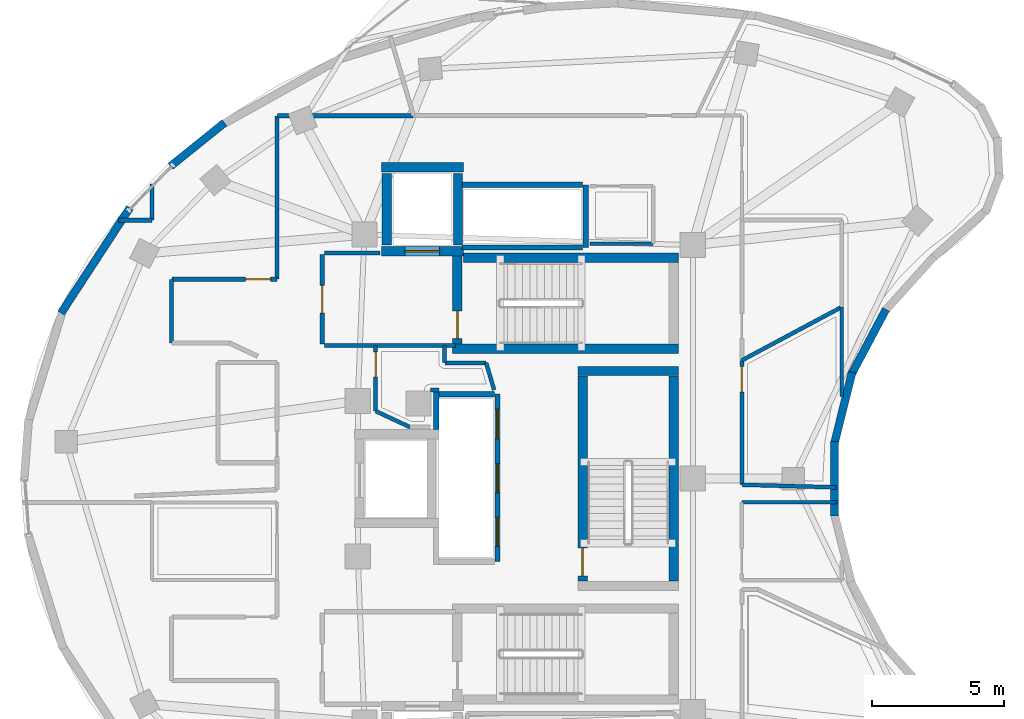
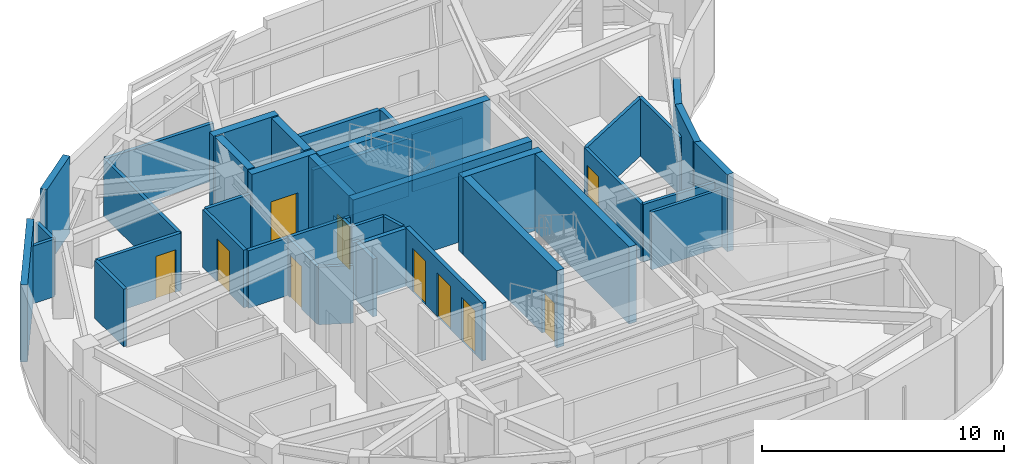
# One storey, part 5 of 8: 42 walls, 10 doors, 10 openings.
"""IFC4 building model written with IfcOpenShell, lengths in metres."""

from ifc_helpers import new_model, si_unit, direction, frame, frame_2d, origin, place, context, subcontext, project, spatial, rectangle, extrude, material, layer, layer_set, type_object, element, fill, save


model = new_model("IFC4")

# Units and contexts
model_context = context("Model", 3, precision=1e-05, world=origin(), true_north=direction((0.0, 1.0)))
body_context = subcontext(model_context, "Body", "Model", "MODEL_VIEW")
ifc_project = project(units=[si_unit("LENGTHUNIT", "METRE"), si_unit("AREAUNIT", "SQUARE_METRE"), si_unit("VOLUMEUNIT", "CUBIC_METRE"), si_unit("PLANEANGLEUNIT", "RADIAN"), si_unit("MASSUNIT", "GRAM", prefix="KILO")], contexts=[model_context])

# Site, building, storey
site_placement = place(None, origin())
site = spatial("IfcSite", under=ifc_project, at=site_placement, CompositionType="ELEMENT")
building_placement = place(site_placement, origin())
building = spatial("IfcBuilding", under=site, at=building_placement, Name="Korentha Bioscience Tower", CompositionType="ELEMENT")
storey_placement = place(building_placement, frame((0.0, 0.0, 310.199951171875)))
storey = spatial("IfcBuildingStorey", under=building, at=storey_placement, Name="L71", CompositionType="ELEMENT", Elevation=310.199951171875)

# Wall, opening, door
ifc_material_1 = material(Name="Double-Stud Acoustic Gypsum", Category="gypsum")
ifc_layer_1 = layer(ifc_material_1, 0.14990234375, Name="Double-Stud Acoustic Gypsum")
ifc_layer_set_1 = layer_set([ifc_layer_1], Name="Double-Stud Acoustic Gypsum (IW-L150)")
wall_type_1 = type_object("IfcWallType", Name="Acoustic Laboratory Partition Wall 150", PredefinedType="PARTITIONING", material=ifc_layer_set_1)
wall_1_placement = place(storey_placement, frame((39.409912109375, 26.767333984375, 0.0), z_axis=(0.0, 0.0, 1.0), x_axis=(0.0, 1.0, 0.0)))
wall_1 = element("IfcWall", 1, at=wall_1_placement, inside=storey, type_object=wall_type_1, Name="L71 Optical Metrology Darkroom 07 Entrance Wall", PredefinedType="PARTITIONING", context=body_context, shape_type="SweptSolid", body=[
    extrude(rectangle(XDim=4.715087890625, YDim=0.14990234375, at=frame_2d((2.357421875, 0.0))), origin(), (0.0, 0.0, 1.0), 2.91015625),
])
opening_1_placement = place(wall_1_placement, frame((3.52490234375, 0.0, 0.0)))
opening_1 = element("IfcOpeningElement", 2, at=opening_1_placement, cuts=wall_1, Name="Opening ID-10R", PredefinedType="OPENING", context=body_context, shape_type="SweptSolid", body=[
    extrude(rectangle(XDim=0.949951171875, YDim=2.14990234375, at=frame_2d((0.47509765625, 1.074951171875))), frame((0.0, 0.08984375, 0.0), z_axis=(0.0, -1.0, 0.0), x_axis=(1.0, 0.0, 0.0)), (0.0, 0.0, 1.0), 0.1796875),
])
ifc_material_2 = material(Name="Phenolic Laminate Timber Core", Category="wood")
door_type_1 = type_object("IfcDoorType", Name="Laboratory Single Leaf Door 950x2150 Right", OperationType="SINGLE_SWING_RIGHT", PredefinedType="DOOR", material=ifc_material_2)
door_1_placement = place(opening_1_placement, origin())
door_1 = element("IfcDoor", 3, at=door_1_placement, inside=storey, type_object=door_type_1, Name="L71 Optical Metrology Darkroom 07 Door", OperationType="SINGLE_SWING_RIGHT", OverallHeight=2.14990234375, OverallWidth=0.949951171875, PredefinedType="DOOR", context=body_context, shape_type="SweptSolid", body=[
    extrude(rectangle(XDim=0.949951171875, YDim=2.14990234375, at=frame_2d((0.47509765625, 1.074951171875))), frame((0.0, 0.02490234375, 0.0), z_axis=(0.0, -1.0, 0.0), x_axis=(1.0, 0.0, 0.0)), (0.0, 0.0, 1.0), 0.050048828125),
])
fill(opening_1, door_1)

wall_2_placement = place(storey_placement, frame((25.530029296875, 29.55810546875, 0.0), z_axis=(0.0, 0.0, 1.0), x_axis=(0.0, 1.0, 0.0)))
wall_2 = element("IfcWall", 4, at=wall_2_placement, inside=storey, type_object=wall_type_1, Name="L71 Terrace View Refreshment Lounge 11 Entrance Wall", PredefinedType="PARTITIONING", context=body_context, shape_type="SweptSolid", body=[
    extrude(rectangle(XDim=2.48193359375, YDim=0.14990234375, at=frame_2d((1.240966796875, 0.0))), origin(), (0.0, 0.0, 1.0), 2.91015625),
])
opening_2_placement = place(wall_2_placement, frame((1.2919921875, 0.0, 0.0)))
opening_2 = element("IfcOpeningElement", 5, at=opening_2_placement, cuts=wall_2, Name="Opening ID-10R", PredefinedType="OPENING", context=body_context, shape_type="SweptSolid", body=[
    extrude(rectangle(XDim=0.949951171875, YDim=2.14990234375, at=frame_2d((0.47509765625, 1.074951171875))), frame((0.0, 0.08984375, 0.0), z_axis=(0.0, -1.0, 0.0), x_axis=(1.0, 0.0, 0.0)), (0.0, 0.0, 1.0), 0.1796875),
])
door_2_placement = place(opening_2_placement, origin())
door_2 = element("IfcDoor", 6, at=door_2_placement, inside=storey, type_object=door_type_1, Name="L71 Terrace View Refreshment Lounge 11 Door", OperationType="SINGLE_SWING_RIGHT", OverallHeight=2.14990234375, OverallWidth=0.949951171875, PredefinedType="DOOR", context=body_context, shape_type="SweptSolid", body=[
    extrude(rectangle(XDim=0.949951171875, YDim=2.14990234375, at=frame_2d((0.47509765625, 1.074951171875))), frame((0.0, 0.02490234375, 0.0), z_axis=(0.0, -1.0, 0.0), x_axis=(1.0, 0.0, 0.0)), (0.0, 0.0, 1.0), 0.050048828125),
])
fill(opening_2, door_2)

# Walls
wall_3_placement = place(storey_placement, frame((42.98193359375, 26.667724609375, 0.0), z_axis=(0.0, 0.0, 1.0), x_axis=(-0.999611412246, 0.027875159333, 0.0)))
element("IfcWall", 7, at=wall_3_placement, inside=storey, type_object=wall_type_1, Name="L71 Interior Partition 046", PredefinedType="PARTITIONING", context=body_context, shape_type="SweptSolid", body=[
    extrude(rectangle(XDim=3.573486328125, YDim=0.14990234375, at=frame_2d((1.78662109375, 0.0))), origin(), (0.0, 0.0, 1.0), 2.91015625),
])
wall_4_placement = place(storey_placement, frame((39.409912109375, 31.482421875, 0.0), z_axis=(0.0, 0.0, 1.0), x_axis=(0.882145112229, 0.470977707509, 0.0)))
element("IfcWall", 8, at=wall_4_placement, inside=storey, type_object=wall_type_1, Name="L71 Interior Partition 047", PredefinedType="PARTITIONING", context=body_context, shape_type="SweptSolid", body=[
    extrude(rectangle(XDim=4.294189453125, YDim=0.14990234375, at=frame_2d((2.14697265625, 0.0))), origin(), (0.0, 0.0, 1.0), 2.91015625),
])
wall_5_placement = place(storey_placement, frame((43.197998046875, 33.5048828125, 0.0), z_axis=(0.0, 0.0, 1.0), x_axis=(0.0, -1.0, 0.0)))
element("IfcWall", 9, at=wall_5_placement, inside=storey, type_object=wall_type_1, Name="L71 Interior Partition 048", PredefinedType="PARTITIONING", context=body_context, shape_type="SweptSolid", body=[
    extrude(rectangle(XDim=3.386962890625, YDim=0.14990234375, at=frame_2d((1.693359375, 0.0))), origin(), (0.0, 0.0, 1.0), 2.91015625),
])
wall_6_placement = place(storey_placement, frame((27.93408203125, 30.360107421875, 0.0), z_axis=(0.0, 0.0, 1.0), x_axis=(-1.0, 0.0, 0.0)))
element("IfcWall", 10, at=wall_6_placement, inside=storey, type_object=wall_type_1, Name="L71 Interior Partition 054", PredefinedType="PARTITIONING", context=body_context, shape_type="SweptSolid", body=[
    extrude(rectangle(XDim=0.333984375, YDim=0.14990234375, at=frame_2d((0.1669921875, 0.0))), origin(), (0.0, 0.0, 1.0), 2.91015625),
])
wall_7_placement = place(storey_placement, frame((26.833740234375, 28.949951171875, 0.0), z_axis=(0.0, 0.0, 1.0), x_axis=(-0.906248163901, 0.422746100427, 0.0)))
element("IfcWall", 11, at=wall_7_placement, inside=storey, type_object=wall_type_1, Name="L71 Interior Partition 056", PredefinedType="PARTITIONING", context=body_context, shape_type="SweptSolid", body=[
    extrude(rectangle(XDim=1.4384765625, YDim=0.14990234375, at=frame_2d((0.71923828125, 0.0))), origin(), (0.0, 0.0, 1.0), 2.91015625),
])
wall_8_placement = place(storey_placement, frame((28.139892578125, 32.0400390625, 0.0), z_axis=(0.0, 0.0, 1.0), x_axis=(0.0, -1.0, 0.0)))
element("IfcWall", 12, at=wall_8_placement, inside=storey, type_object=wall_type_1, Name="L71 Interior Partition 057", PredefinedType="PARTITIONING", context=body_context, shape_type="SweptSolid", body=[
    extrude(rectangle(XDim=0.64013671875, YDim=0.14990234375, at=frame_2d((0.320068359375, 0.0))), origin(), (0.0, 0.0, 1.0), 2.91015625),
])
wall_9_placement = place(storey_placement, frame((28.14990234375, 31.389892578125, 0.0), z_axis=(0.0, 0.0, 1.0), x_axis=(1.0, 0.0, 0.0)))
element("IfcWall", 13, at=wall_9_placement, inside=storey, type_object=wall_type_1, Name="L71 Interior Partition 058", PredefinedType="PARTITIONING", context=body_context, shape_type="SweptSolid", body=[
    extrude(rectangle(XDim=1.56689453125, YDim=0.14990234375, at=frame_2d((0.783447265625, 0.0))), origin(), (0.0, 0.0, 1.0), 2.91015625),
])
wall_10_placement = place(storey_placement, frame((29.716796875, 31.389892578125, 0.0), z_axis=(0.0, 0.0, 1.0), x_axis=(0.282461818216, -0.959278542057, 0.0)))
element("IfcWall", 14, at=wall_10_placement, inside=storey, type_object=wall_type_1, Name="L71 Interior Partition 059", PredefinedType="PARTITIONING", context=body_context, shape_type="SweptSolid", body=[
    extrude(rectangle(XDim=1.073486328125, YDim=0.14990234375, at=frame_2d((0.53662109375, 0.0))), origin(), (0.0, 0.0, 1.0), 2.91015625),
])
ifc_material_3 = material(Name="Insulated Aluminium Honeycomb Panel", Category="aluminium")
ifc_layer_2 = layer(ifc_material_3, 0.139892578125, Name="Insulated Aluminium Honeycomb Panel")
ifc_layer_set_2 = layer_set([ifc_layer_2], Name="Insulated Aluminium Honeycomb Panel (IW-F60)")
wall_type_2 = type_object("IfcWallType", Name="Cleanroom Flush Metal Panel Partition 140", PredefinedType="PARTITIONING", material=ifc_layer_set_2)
wall_11_placement = place(storey_placement, frame((39.409912109375, 26.097900390625, 0.0), z_axis=(0.0, 0.0, 1.0), x_axis=(1.0, 0.0, 0.0)))
element("IfcWall", 15, at=wall_11_placement, inside=storey, type_object=wall_type_2, Name="L71 Interior Partition 045", PredefinedType="PARTITIONING", context=body_context, shape_type="SweptSolid", body=[
    extrude(rectangle(XDim=3.607421875, YDim=0.139892578125, at=frame_2d((1.8037109375, 0.0))), origin(), (0.0, 0.0, 1.0), 2.91015625),
])

# Wall, opening, door
ifc_material_4 = material(Name="Gypsum-Clad Steel Stud", Category="steel")
ifc_layer_3 = layer(ifc_material_4, 0.159912109375, Name="Gypsum-Clad Steel Stud")
ifc_layer_set_3 = layer_set([ifc_layer_3], Name="Gypsum-Clad Steel Stud (IW-C160)")
wall_type_3 = type_object("IfcWallType", Name="Fire-Rated Corridor Partition Wall 160", PredefinedType="PARTITIONING", material=ifc_layer_set_3)
wall_12_placement = place(storey_placement, frame((23.5, 32.10009765625, 0.0), z_axis=(0.0, 0.0, 1.0), x_axis=(0.0, 1.0, 0.0)))
wall_12 = element("IfcWall", 16, at=wall_12_placement, inside=storey, type_object=wall_type_3, Name="L71 FFLN-CW Rated Enclosure Wall", PredefinedType="PARTITIONING", context=body_context, shape_type="SweptSolid", body=[
    extrude(rectangle(XDim=3.39990234375, YDim=0.159912109375, at=frame_2d((1.699951171875, 0.0))), origin(), (0.0, 0.0, 1.0), 2.91015625),
])
opening_3_placement = place(wall_12_placement, frame((1.175048828125, 0.0, 0.0)))
opening_3 = element("IfcOpeningElement", 17, at=opening_3_placement, cuts=wall_12, Name="Opening FD-90R", PredefinedType="OPENING", context=body_context, shape_type="SweptSolid", body=[
    extrude(rectangle(XDim=1.050048828125, YDim=2.14990234375, at=frame_2d((0.52490234375, 1.074951171875))), frame((0.0, 0.0947265625, 0.0), z_axis=(0.0, -1.0, 0.0), x_axis=(1.0, 0.0, 0.0)), (0.0, 0.0, 1.0), 0.189697265625),
])
ifc_material_5 = material(Name="Powder-Coated Fire-Rated Steel", Category="steel")
door_type_2 = type_object("IfcDoorType", Name="Stairwell Fire Exit Door 1050x2150 Right", OperationType="SINGLE_SWING_RIGHT", PredefinedType="DOOR", material=ifc_material_5)
door_3_placement = place(opening_3_placement, origin())
door_3 = element("IfcDoor", 18, at=door_3_placement, inside=storey, type_object=door_type_2, Name="L71 North Firefighting Lobby Door", OperationType="SINGLE_SWING_RIGHT", OverallHeight=2.14990234375, OverallWidth=1.050048828125, PredefinedType="DOOR", context=body_context, shape_type="SweptSolid", body=[
    extrude(rectangle(XDim=1.050048828125, YDim=2.14990234375, at=frame_2d((0.52490234375, 1.074951171875))), frame((0.0, 0.02490234375, 0.0), z_axis=(0.0, -1.0, 0.0), x_axis=(1.0, 0.0, 0.0)), (0.0, 0.0, 1.0), 0.050048828125),
])
fill(opening_3, door_3)

# Walls
wall_13_placement = place(storey_placement, frame((23.580078125, 32.050048828125, 0.0), z_axis=(0.0, 0.0, 1.0), x_axis=(1.0, 0.0, 0.0)))
element("IfcWall", 19, at=wall_13_placement, inside=storey, type_object=wall_type_3, Name="L71 Firefighting Lobby Return Wall FFLN-S", PredefinedType="PARTITIONING", context=body_context, shape_type="SweptSolid", body=[
    extrude(rectangle(XDim=4.969970703125, YDim=0.159912109375, at=frame_2d((2.48486328125, 0.0))), origin(), (0.0, 0.0, 1.0), 2.91015625),
])
wall_14_placement = place(storey_placement, frame((23.580078125, 35.550048828125, 0.0), z_axis=(0.0, 0.0, 1.0), x_axis=(1.0, 0.0, 0.0)))
element("IfcWall", 20, at=wall_14_placement, inside=storey, type_object=wall_type_3, Name="L71 Firefighting Lobby Return Wall FFLN-N", PredefinedType="PARTITIONING", context=body_context, shape_type="SweptSolid", body=[
    extrude(rectangle(XDim=2.119873046875, YDim=0.159912109375, at=frame_2d((1.06005859375, 0.0))), origin(), (0.0, 0.0, 1.0), 2.91015625),
])

# Wall, opening, door
wall_15_placement = place(storey_placement, frame((21.7900390625, 34.56005859375, 0.0), z_axis=(0.0, 0.0, 1.0), x_axis=(-1.0, 0.0, 0.0)))
wall_15 = element("IfcWall", 21, at=wall_15_placement, inside=storey, type_object=wall_type_3, Name="L71 Instrument Calibration Workshop 12 Entrance Wall", PredefinedType="PARTITIONING", context=body_context, shape_type="SweptSolid", body=[
    extrude(rectangle(XDim=3.989990234375, YDim=0.159912109375, at=frame_2d((1.9951171875, 0.0))), origin(), (0.0, 0.0, 1.0), 2.91015625),
])
opening_4_placement = place(wall_15_placement, frame((0.239990234375, 0.0, 0.0)))
opening_4 = element("IfcOpeningElement", 22, at=opening_4_placement, cuts=wall_15, Name="Opening ID-10L", PredefinedType="OPENING", context=body_context, shape_type="SweptSolid", body=[
    extrude(rectangle(XDim=0.949951171875, YDim=2.14990234375, at=frame_2d((0.47509765625, 1.074951171875))), frame((0.0, 0.0947265625, 0.0), z_axis=(0.0, -1.0, 0.0), x_axis=(1.0, 0.0, 0.0)), (0.0, 0.0, 1.0), 0.189697265625),
])
door_type_3 = type_object("IfcDoorType", Name="Laboratory Single Leaf Door 950x2150 Left", OperationType="SINGLE_SWING_LEFT", PredefinedType="DOOR", material=ifc_material_2)
door_4_placement = place(opening_4_placement, origin())
door_4 = element("IfcDoor", 23, at=door_4_placement, inside=storey, type_object=door_type_3, Name="L71 Instrument Calibration Workshop 12 Door", OperationType="SINGLE_SWING_LEFT", OverallHeight=2.14990234375, OverallWidth=0.949951171875, PredefinedType="DOOR", context=body_context, shape_type="SweptSolid", body=[
    extrude(rectangle(XDim=0.949951171875, YDim=2.14990234375, at=frame_2d((0.47509765625, 1.074951171875))), frame((0.0, 0.02490234375, 0.0), z_axis=(0.0, -1.0, 0.0), x_axis=(1.0, 0.0, 0.0)), (0.0, 0.0, 1.0), 0.050048828125),
])
fill(opening_4, door_4)

# Walls
wall_16_placement = place(storey_placement, frame((15.779296875, 36.798095703125, 0.0), z_axis=(0.0, 0.0, 1.0), x_axis=(1.0, 0.0, 0.0)))
element("IfcWall", 24, at=wall_16_placement, inside=storey, type_object=wall_type_3, Name="L71 Interior Partition 060", PredefinedType="PARTITIONING", context=body_context, shape_type="SweptSolid", body=[
    extrude(rectangle(XDim=1.2685546875, YDim=0.159912109375, at=frame_2d((0.63427734375, 0.0))), origin(), (0.0, 0.0, 1.0), 2.91015625),
])
wall_17_placement = place(storey_placement, frame((17.052001953125, 36.802001953125, 0.0), z_axis=(0.0, 0.0, 1.0), x_axis=(0.0, 1.0, 0.0)))
element("IfcWall", 25, at=wall_17_placement, inside=storey, type_object=wall_type_3, Name="L71 Interior Partition 061", PredefinedType="PARTITIONING", context=body_context, shape_type="SweptSolid", body=[
    extrude(rectangle(XDim=1.3623046875, YDim=0.159912109375, at=frame_2d((0.68115234375, 0.0))), origin(), (0.0, 0.0, 1.0), 2.91015625),
])
wall_18_placement = place(storey_placement, frame((26.952880859375, 40.760009765625, 0.0), z_axis=(0.0, 0.0, 1.0), x_axis=(-1.0, 0.0, 0.0)))
element("IfcWall", 26, at=wall_18_placement, inside=storey, type_object=wall_type_3, Name="L71 Interior Partition 062", PredefinedType="PARTITIONING", context=body_context, shape_type="SweptSolid", body=[
    extrude(rectangle(XDim=5.15283203125, YDim=0.159912109375, at=frame_2d((2.576416015625, 0.0))), origin(), (0.0, 0.0, 1.0), 2.91015625),
])
wall_19_placement = place(storey_placement, frame((21.7900390625, 40.75, 0.0), z_axis=(0.0, 0.0, 1.0), x_axis=(0.0, -1.0, 0.0)))
element("IfcWall", 27, at=wall_19_placement, inside=storey, type_object=wall_type_3, Name="L71 Interior Partition 063", PredefinedType="PARTITIONING", context=body_context, shape_type="SweptSolid", body=[
    extrude(rectangle(XDim=6.18994140625, YDim=0.159912109375, at=frame_2d((3.094970703125, 0.0))), origin(), (0.0, 0.0, 1.0), 2.91015625),
])
wall_20_placement = place(storey_placement, frame((17.7900390625, 34.550048828125, 0.0), z_axis=(0.0, 0.0, 1.0), x_axis=(0.0, -1.0, 0.0)))
element("IfcWall", 28, at=wall_20_placement, inside=storey, type_object=wall_type_3, Name="L71 Interior Partition 064", PredefinedType="PARTITIONING", context=body_context, shape_type="SweptSolid", body=[
    extrude(rectangle(XDim=2.400146484375, YDim=0.159912109375, at=frame_2d((1.2001953125, 0.0))), origin(), (0.0, 0.0, 1.0), 2.91015625),
])
ifc_material_6 = material(Name="Honed Limestone Precast Concrete C40", Category="masonry")
ifc_layer_4 = layer(ifc_material_6, 0.300048828125, Name="Honed Limestone Precast Concrete C40")
ifc_layer_set_4 = layer_set([ifc_layer_4], Name="Honed Limestone Precast Concrete C40 (EW-ST300)")
wall_type_4 = type_object("IfcWallType", Name="Honed Limestone Cavity Spandrel Wall 300", PredefinedType="STANDARD", material=ifc_layer_set_4)
wall_21_placement = place(storey_placement, frame((19.7998046875, 40.49267578125, 0.0), z_axis=(0.0, 0.0, 1.0), x_axis=(-0.778800498168, -0.627271698751, 0.0)))
element("IfcWall", 29, at=wall_21_placement, inside=storey, type_object=wall_type_4, Name="L71 Limestone Perimeter Closure Wall 12", PredefinedType="STANDARD", context=body_context, shape_type="SweptSolid", body=[
    extrude(rectangle(XDim=2.631103515625, YDim=0.300048828125, at=frame_2d((1.3154296875, 0.0))), origin(), (0.0, 0.0, 1.0), 3.900146484375),
])
wall_22_placement = place(storey_placement, frame((16.20849609375, 37.2685546875, 0.0), z_axis=(0.0, 0.0, 1.0), x_axis=(-0.546723072071, -0.837313491152, 0.0)))
element("IfcWall", 30, at=wall_22_placement, inside=storey, type_object=wall_type_4, Name="L71 Limestone Perimeter Closure Wall 14", PredefinedType="STANDARD", context=body_context, shape_type="SweptSolid", body=[
    extrude(rectangle(XDim=4.775390625, YDim=0.300048828125, at=frame_2d((2.3876953125, 0.0))), origin(), (0.0, 0.0, 1.0), 3.900146484375),
])
for number, where, z_axis, x_axis, name in (
    (31, (42.92431640625, 25.585693359375, 0.0), (0.0, 0.0, 1.0), (0.0, 1.0, 0.0), "L71 Limestone Perimeter Closure Wall 49"),
    (32, (42.9091796875, 28.29052734375, 0.0), (0.0, 0.0, 1.0), (0.241926331659, 0.970294620231, 0.0), "L71 Limestone Perimeter Closure Wall 51"),
):
    element("IfcWall", number, at=place(storey_placement, frame(where, z_axis=z_axis, x_axis=x_axis)), inside=storey, type_object=wall_type_4, Name=name, PredefinedType="STANDARD", context=body_context, shape_type="SweptSolid", body=[
        extrude(rectangle(XDim=2.82861328125, YDim=0.300048828125, at=frame_2d((1.414306640625, 0.0))), origin(), (0.0, 0.0, 1.0), 3.900146484375),
    ])
wall_23_placement = place(storey_placement, frame((43.548828125, 30.918701171875, 0.0), z_axis=(0.0, 0.0, 1.0), x_axis=(0.469445489529, 0.882961455761, 0.0)))
element("IfcWall", 33, at=wall_23_placement, inside=storey, type_object=wall_type_4, Name="L71 Limestone Perimeter Closure Wall 53", PredefinedType="STANDARD", context=body_context, shape_type="SweptSolid", body=[
    extrude(rectangle(XDim=2.82861328125, YDim=0.300048828125, at=frame_2d((1.414306640625, 0.0))), origin(), (0.0, 0.0, 1.0), 3.342041015625),
])
ifc_material_7 = material(Name="Autoclaved Aerated Concrete Block C25", Category="concrete")
ifc_layer_5 = layer(ifc_material_7, 0.199951171875, Name="Autoclaved Aerated Concrete Block C25")
ifc_layer_set_5 = layer_set([ifc_layer_5], Name="Autoclaved Aerated Concrete Block C25 (IW-S200)")
wall_type_5 = type_object("IfcWallType", Name="Lift and Riser Shaft Enclosure Wall 200", PredefinedType="PARTITIONING", material=ifc_layer_set_5)
wall_24_placement = place(storey_placement, frame((27.830078125, 28.85888671875, 0.0), z_axis=(0.0, 0.0, 1.0), x_axis=(0.0, 1.0, 0.0)))
element("IfcWall", 34, at=wall_24_placement, inside=storey, type_object=wall_type_5, Name="L71 Lift Bank HIGH Shaft Wall -XN", PredefinedType="PARTITIONING", context=body_context, shape_type="SweptSolid", body=[
    extrude(rectangle(XDim=1.441162109375, YDim=0.199951171875, at=frame_2d((0.720703125, 0.0))), origin(), (0.0, 0.0, 1.0), 2.91015625),
])

# Wall, openings, doors
wall_25_placement = place(storey_placement, frame((30.14990234375, 23.85009765625, 0.0), z_axis=(0.0, 0.0, 1.0), x_axis=(0.0, 1.0, 0.0)))
wall_25 = element("IfcWall", 35, at=wall_25_placement, inside=storey, type_object=wall_type_5, Name="L71 Lift Bank HIGH Shaft Wall +X", PredefinedType="PARTITIONING", context=body_context, shape_type="SweptSolid", body=[
    extrude(rectangle(XDim=6.349853515625, YDim=0.199951171875, at=frame_2d((3.1748046875, 0.0))), origin(), (0.0, 0.0, 1.0), 2.91015625),
])
opening_5_placement = place(wall_25_placement, frame((0.580078125, 0.0, 0.0)))
opening_5 = element("IfcOpeningElement", 36, at=opening_5_placement, cuts=wall_25, Name="Opening LD-11", PredefinedType="OPENING", context=body_context, shape_type="SweptSolid", body=[
    extrude(rectangle(XDim=1.10009765625, YDim=2.199951171875, at=frame_2d((0.550048828125, 1.10009765625))), frame((0.0, 0.11474609375, 0.0), z_axis=(0.0, -1.0, 0.0), x_axis=(1.0, 0.0, 0.0)), (0.0, 0.0, 1.0), 0.229736328125),
])
opening_6_placement = place(wall_25_placement, frame((2.6201171875, 0.0, 0.0)))
opening_6 = element("IfcOpeningElement", 37, at=opening_6_placement, cuts=wall_25, Name="Opening LD-11", PredefinedType="OPENING", context=body_context, shape_type="SweptSolid", body=[
    extrude(rectangle(XDim=1.10009765625, YDim=2.199951171875, at=frame_2d((0.550048828125, 1.10009765625))), frame((0.0, 0.11474609375, 0.0), z_axis=(0.0, -1.0, 0.0), x_axis=(1.0, 0.0, 0.0)), (0.0, 0.0, 1.0), 0.229736328125),
])
opening_7_placement = place(wall_25_placement, frame((4.669921875, 0.0, 0.0)))
opening_7 = element("IfcOpeningElement", 38, at=opening_7_placement, cuts=wall_25, Name="Opening LD-11", PredefinedType="OPENING", context=body_context, shape_type="SweptSolid", body=[
    extrude(rectangle(XDim=1.10009765625, YDim=2.199951171875, at=frame_2d((0.550048828125, 1.10009765625))), frame((0.0, 0.11474609375, 0.0), z_axis=(0.0, -1.0, 0.0), x_axis=(1.0, 0.0, 0.0)), (0.0, 0.0, 1.0), 0.229736328125),
])
ifc_material_8 = material(Name="Brushed Stainless Steel 304", Category="steel")
door_type_4 = type_object("IfcDoorType", Name="Passenger Lift Sliding Landing Door 1100x2200", OperationType="DOUBLE_DOOR_SLIDING", PredefinedType="DOOR", material=ifc_material_8)
door_5_placement = place(opening_5_placement, origin())
door_5 = element("IfcDoor", 39, at=door_5_placement, inside=storey, type_object=door_type_4, Name="L71 PL-H1 Sliding Lift Landing Door", OperationType="DOUBLE_DOOR_SLIDING", OverallHeight=2.199951171875, OverallWidth=1.10009765625, PredefinedType="DOOR", context=body_context, shape_type="SweptSolid", body=[
    extrude(rectangle(XDim=1.10009765625, YDim=2.199951171875, at=frame_2d((0.550048828125, 1.10009765625))), frame((0.0, 0.02490234375, 0.0), z_axis=(0.0, -1.0, 0.0), x_axis=(1.0, 0.0, 0.0)), (0.0, 0.0, 1.0), 0.050048828125),
])
fill(opening_5, door_5)
door_6_placement = place(opening_6_placement, origin())
door_6 = element("IfcDoor", 40, at=door_6_placement, inside=storey, type_object=door_type_4, Name="L71 PL-H2 Sliding Lift Landing Door", OperationType="DOUBLE_DOOR_SLIDING", OverallHeight=2.199951171875, OverallWidth=1.10009765625, PredefinedType="DOOR", context=body_context, shape_type="SweptSolid", body=[
    extrude(rectangle(XDim=1.10009765625, YDim=2.199951171875, at=frame_2d((0.550048828125, 1.10009765625))), frame((0.0, 0.02490234375, 0.0), z_axis=(0.0, -1.0, 0.0), x_axis=(1.0, 0.0, 0.0)), (0.0, 0.0, 1.0), 0.050048828125),
])
fill(opening_6, door_6)
door_7_placement = place(opening_7_placement, origin())
door_7 = element("IfcDoor", 41, at=door_7_placement, inside=storey, type_object=door_type_4, Name="L71 PL-H3 Sliding Lift Landing Door", OperationType="DOUBLE_DOOR_SLIDING", OverallHeight=2.199951171875, OverallWidth=1.10009765625, PredefinedType="DOOR", context=body_context, shape_type="SweptSolid", body=[
    extrude(rectangle(XDim=1.10009765625, YDim=2.199951171875, at=frame_2d((0.550048828125, 1.10009765625))), frame((0.0, 0.02490234375, 0.0), z_axis=(0.0, -1.0, 0.0), x_axis=(1.0, 0.0, 0.0)), (0.0, 0.0, 1.0), 0.050048828125),
])
fill(opening_7, door_7)

# Walls
wall_26_placement = place(storey_placement, frame((27.93408203125, 30.199951171875, 0.0), z_axis=(0.0, 0.0, 1.0), x_axis=(1.0, 0.0, 0.0)))
element("IfcWall", 42, at=wall_26_placement, inside=storey, type_object=wall_type_5, Name="L71 Lift Bank HIGH Shaft Wall +Y", PredefinedType="PARTITIONING", context=body_context, shape_type="SweptSolid", body=[
    extrude(rectangle(XDim=2.095947265625, YDim=0.199951171875, at=frame_2d((1.0478515625, 0.0))), origin(), (0.0, 0.0, 1.0), 2.91015625),
])
wall_27_placement = place(storey_placement, frame((33.489990234375, 35.760009765625, 0.0), z_axis=(0.0, 0.0, 1.0), x_axis=(0.0, 1.0, 0.0)))
element("IfcWall", 43, at=wall_27_placement, inside=storey, type_object=wall_type_5, Name="L71 Lift Bank OBS Shaft Wall +X", PredefinedType="PARTITIONING", context=body_context, shape_type="SweptSolid", body=[
    extrude(rectangle(XDim=2.3798828125, YDim=0.199951171875, at=frame_2d((1.18994140625, 0.0))), origin(), (0.0, 0.0, 1.0), 2.91015625),
])
for number, where, z_axis, x_axis, name in (
    (44, (28.800048828125, 35.760009765625, 0.0), (0.0, 0.0, 1.0), (1.0, 0.0, 0.0), "L71 Lift Bank OBS Shaft Wall -Y"),
    (45, (28.800048828125, 38.139892578125, 0.0), (0.0, 0.0, 1.0), (1.0, 0.0, 0.0), "L71 Lift Bank OBS Shaft Wall +Y"),
):
    element("IfcWall", number, at=place(storey_placement, frame(where, z_axis=z_axis, x_axis=x_axis)), inside=storey, type_object=wall_type_5, Name=name, PredefinedType="PARTITIONING", context=body_context, shape_type="SweptSolid", body=[
        extrude(rectangle(XDim=4.570068359375, YDim=0.199951171875, at=frame_2d((2.28515625, 0.0))), origin(), (0.0, 0.0, 1.0), 2.91015625),
    ])
ifc_material_9 = material(Name="Concrete C50", Category="concrete")
ifc_layer_6 = layer(ifc_material_9, 0.35009765625, Name="Concrete C50")
ifc_layer_set_6 = layer_set([ifc_layer_6], Name="Concrete C50 (CW-C50)")
wall_type_6 = type_object("IfcWallType", Name="Upper Core Shear Wall 350", PredefinedType="SHEAR", material=ifc_layer_set_6)
wall_28_placement = place(storey_placement, frame((28.85205078125, 35.375, 0.0), z_axis=(0.0, 0.0, 1.0), x_axis=(1.0, 0.0, 0.0)))
element("IfcWall", 46, at=wall_28_placement, inside=storey, type_object=wall_type_6, Name="L71 Core Shear Wall ST1-N", PredefinedType="SHEAR", context=body_context, shape_type="SweptSolid", body=[
    extrude(rectangle(XDim=8.14794921875, YDim=0.35009765625, at=frame_2d((4.073974609375, 0.0))), origin(), (0.0, 0.0, 1.0), 3.900146484375),
])
wall_29_placement = place(storey_placement, frame((28.449951171875, 31.925048828125, 0.0), z_axis=(0.0, 0.0, 1.0), x_axis=(1.0, 0.0, 0.0)))
element("IfcWall", 47, at=wall_29_placement, inside=storey, type_object=wall_type_6, Name="L71 Core Shear Wall ST1-S", PredefinedType="SHEAR", context=body_context, shape_type="SweptSolid", body=[
    extrude(rectangle(XDim=8.550048828125, YDim=0.35009765625, at=frame_2d((4.27490234375, 0.0))), origin(), (0.0, 0.0, 1.0), 3.900146484375),
])

# Wall, opening, door
wall_30_placement = place(storey_placement, frame((28.625, 32.110107421875, 0.0), z_axis=(0.0, 0.0, 1.0), x_axis=(0.0, 1.0, 0.0)))
wall_30 = element("IfcWall", 48, at=wall_30_placement, inside=storey, type_object=wall_type_6, Name="L71 Core Shear Wall ST1-W", PredefinedType="SHEAR", context=body_context, shape_type="SweptSolid", body=[
    extrude(rectangle(XDim=3.3330078125, YDim=0.35009765625, at=frame_2d((1.66650390625, 0.0))), origin(), (0.0, 0.0, 1.0), 3.900146484375),
])
opening_8_placement = place(wall_30_placement, frame((0.199951171875, 0.0, 0.0)))
opening_8 = element("IfcOpeningElement", 49, at=opening_8_placement, cuts=wall_30, Name="Opening FD-90R", PredefinedType="OPENING", context=body_context, shape_type="SweptSolid", body=[
    extrude(rectangle(XDim=1.050048828125, YDim=2.14990234375, at=frame_2d((0.52490234375, 1.074951171875))), frame((0.0, 0.18994140625, 0.0), z_axis=(0.0, -1.0, 0.0), x_axis=(1.0, 0.0, 0.0)), (0.0, 0.0, 1.0), 0.3798828125),
])
door_8_placement = place(opening_8_placement, origin())
door_8 = element("IfcDoor", 50, at=door_8_placement, inside=storey, type_object=door_type_2, Name="L71 ST-1 Fire Exit Stair Door", OperationType="SINGLE_SWING_RIGHT", OverallHeight=2.14990234375, OverallWidth=1.050048828125, PredefinedType="DOOR", context=body_context, shape_type="SweptSolid", body=[
    extrude(rectangle(XDim=1.050048828125, YDim=2.14990234375, at=frame_2d((0.52490234375, 1.074951171875))), frame((0.0, 0.02490234375, 0.0), z_axis=(0.0, -1.0, 0.0), x_axis=(1.0, 0.0, 0.0)), (0.0, 0.0, 1.0), 0.050048828125),
])
fill(opening_8, door_8)

# Walls
wall_31_placement = place(storey_placement, frame((33.199951171875, 31.074951171875, 0.0), z_axis=(0.0, 0.0, 1.0), x_axis=(1.0, 0.0, 0.0)))
element("IfcWall", 51, at=wall_31_placement, inside=storey, type_object=wall_type_6, Name="L71 Core Shear Wall ST3-N", PredefinedType="SHEAR", context=body_context, shape_type="SweptSolid", body=[
    extrude(rectangle(XDim=3.800048828125, YDim=0.35009765625, at=frame_2d((1.89990234375, 0.0))), origin(), (0.0, 0.0, 1.0), 3.900146484375),
])
wall_32_placement = place(storey_placement, frame((36.824951171875, 23.110107421875, 0.0), z_axis=(0.0, 0.0, 1.0), x_axis=(0.0, 1.0, 0.0)))
element("IfcWall", 52, at=wall_32_placement, inside=storey, type_object=wall_type_6, Name="L71 Core Shear Wall ST3-E", PredefinedType="SHEAR", context=body_context, shape_type="SweptSolid", body=[
    extrude(rectangle(XDim=7.77978515625, YDim=0.35009765625, at=frame_2d((3.889892578125, 0.0))), origin(), (0.0, 0.0, 1.0), 3.900146484375),
])

# Wall, opening, door
wall_33_placement = place(storey_placement, frame((33.375, 23.110107421875, 0.0), z_axis=(0.0, 0.0, 1.0), x_axis=(0.0, 1.0, 0.0)))
wall_33 = element("IfcWall", 53, at=wall_33_placement, inside=storey, type_object=wall_type_6, Name="L71 Core Shear Wall ST3-W", PredefinedType="SHEAR", context=body_context, shape_type="SweptSolid", body=[
    extrude(rectangle(XDim=7.77978515625, YDim=0.35009765625, at=frame_2d((3.889892578125, 0.0))), origin(), (0.0, 0.0, 1.0), 3.900146484375),
])
opening_9_placement = place(wall_33_placement, frame((0.199951171875, 0.0, 0.0)))
opening_9 = element("IfcOpeningElement", 54, at=opening_9_placement, cuts=wall_33, Name="Opening FD-90R", PredefinedType="OPENING", context=body_context, shape_type="SweptSolid", body=[
    extrude(rectangle(XDim=1.050048828125, YDim=2.14990234375, at=frame_2d((0.52490234375, 1.074951171875))), frame((0.0, 0.18994140625, 0.0), z_axis=(0.0, -1.0, 0.0), x_axis=(1.0, 0.0, 0.0)), (0.0, 0.0, 1.0), 0.3798828125),
])
door_9_placement = place(opening_9_placement, origin())
door_9 = element("IfcDoor", 55, at=door_9_placement, inside=storey, type_object=door_type_2, Name="L71 ST-3 Fire Exit Stair Door", OperationType="SINGLE_SWING_RIGHT", OverallHeight=2.14990234375, OverallWidth=1.050048828125, PredefinedType="DOOR", context=body_context, shape_type="SweptSolid", body=[
    extrude(rectangle(XDim=1.050048828125, YDim=2.14990234375, at=frame_2d((0.52490234375, 1.074951171875))), frame((0.0, 0.02490234375, 0.0), z_axis=(0.0, -1.0, 0.0), x_axis=(1.0, 0.0, 0.0)), (0.0, 0.0, 1.0), 0.050048828125),
])
fill(opening_9, door_9)

# Wall
wall_34_placement = place(storey_placement, frame((25.75, 38.800048828125, 0.0), z_axis=(0.0, 0.0, 1.0), x_axis=(1.0, 0.0, 0.0)))
element("IfcWall", 56, at=wall_34_placement, inside=storey, type_object=wall_type_6, Name="L71 Core Shear Wall FFL2-N", PredefinedType="SHEAR", context=body_context, shape_type="SweptSolid", body=[
    extrude(rectangle(XDim=3.10009765625, YDim=0.35009765625, at=frame_2d((1.550048828125, 0.0))), origin(), (0.0, 0.0, 1.0), 3.900146484375),
])

# Wall, opening, door
wall_35_placement = place(storey_placement, frame((25.75, 35.6201171875, 0.0), z_axis=(0.0, 0.0, 1.0), x_axis=(1.0, 0.0, 0.0)))
wall_35 = element("IfcWall", 57, at=wall_35_placement, inside=storey, type_object=wall_type_6, Name="L71 Core Shear Wall FFL2-S", PredefinedType="SHEAR", context=body_context, shape_type="SweptSolid", body=[
    extrude(rectangle(XDim=3.10009765625, YDim=0.35009765625, at=frame_2d((1.550048828125, 0.0))), origin(), (0.0, 0.0, 1.0), 3.900146484375),
])
opening_10_placement = place(wall_35_placement, frame((0.89990234375, 0.0, 0.0)))
opening_10 = element("IfcOpeningElement", 58, at=opening_10_placement, cuts=wall_35, Name="Opening LD-13", PredefinedType="OPENING", context=body_context, shape_type="SweptSolid", body=[
    extrude(rectangle(XDim=1.300048828125, YDim=2.199951171875, at=frame_2d((0.64990234375, 1.10009765625))), frame((0.0, 0.18994140625, 0.0), z_axis=(0.0, -1.0, 0.0), x_axis=(1.0, 0.0, 0.0)), (0.0, 0.0, 1.0), 0.3798828125),
])
ifc_material_10 = material(Name="Brushed Stainless Steel 316", Category="steel")
door_type_5 = type_object("IfcDoorType", Name="Service & Firefighting Lift Landing Door 1300x2300", OperationType="DOUBLE_DOOR_SLIDING", PredefinedType="DOOR", material=ifc_material_10)
door_10_placement = place(opening_10_placement, origin())
door_10 = element("IfcDoor", 59, at=door_10_placement, inside=storey, type_object=door_type_5, Name="L71 FFL-2 Sliding Lift Landing Door", OperationType="DOUBLE_DOOR_SLIDING", OverallHeight=2.199951171875, OverallWidth=1.300048828125, PredefinedType="DOOR", context=body_context, shape_type="SweptSolid", body=[
    extrude(rectangle(XDim=1.300048828125, YDim=2.199951171875, at=frame_2d((0.64990234375, 1.10009765625))), frame((0.0, 0.02490234375, 0.0), z_axis=(0.0, -1.0, 0.0), x_axis=(1.0, 0.0, 0.0)), (0.0, 0.0, 1.0), 0.050048828125),
])
fill(opening_10, door_10)

# Walls
for number, where, z_axis, x_axis, name in (
    (60, (25.949951171875, 35.860107421875, 0.0), (0.0, 0.0, 1.0), (0.0, 1.0, 0.0), "L71 Core Shear Wall FFL2-W"),
    (61, (28.64990234375, 35.860107421875, 0.0), (0.0, 0.0, 1.0), (0.0, 1.0, 0.0), "L71 Core Shear Wall FFL2-E"),
):
    element("IfcWall", number, at=place(storey_placement, frame(where, z_axis=z_axis, x_axis=x_axis)), inside=storey, type_object=wall_type_6, Name=name, PredefinedType="SHEAR", context=body_context, shape_type="SweptSolid", body=[
        extrude(rectangle(XDim=2.699951171875, YDim=0.35009765625, at=frame_2d((1.35009765625, 0.0))), origin(), (0.0, 0.0, 1.0), 3.900146484375),
    ])
ifc_material_11 = material(Name="Cement-Board Steel Stud", Category="steel")
ifc_layer_7 = layer(ifc_material_11, 0.1298828125, Name="Cement-Board Steel Stud")
ifc_layer_set_7 = layer_set([ifc_layer_7], Name="Cement-Board Steel Stud (IW-W130)")
wall_type_7 = type_object("IfcWallType", Name="Wet-Area Moisture-Resistant Partition 130", PredefinedType="PARTITIONING", material=ifc_layer_set_7)
wall_36_placement = place(storey_placement, frame((36.050048828125, 35.909912109375, 0.0), z_axis=(0.0, 0.0, 1.0), x_axis=(-1.0, 0.0, 0.0)))
element("IfcWall", 62, at=wall_36_placement, inside=storey, type_object=wall_type_7, Name="L71 Interior Partition 015", PredefinedType="PARTITIONING", context=body_context, shape_type="SweptSolid", body=[
    extrude(rectangle(XDim=2.400146484375, YDim=0.1298828125, at=frame_2d((1.2001953125, 0.0))), origin(), (0.0, 0.0, 1.0), 2.91015625),
])

save(model, "model.ifc")
